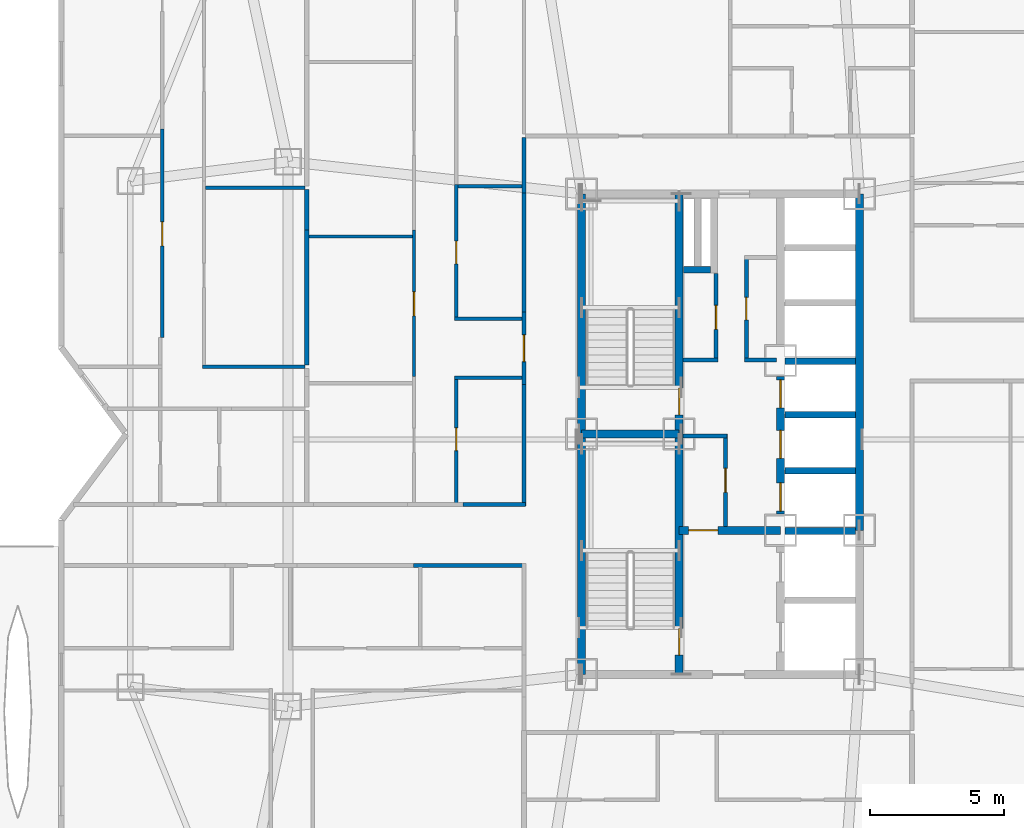
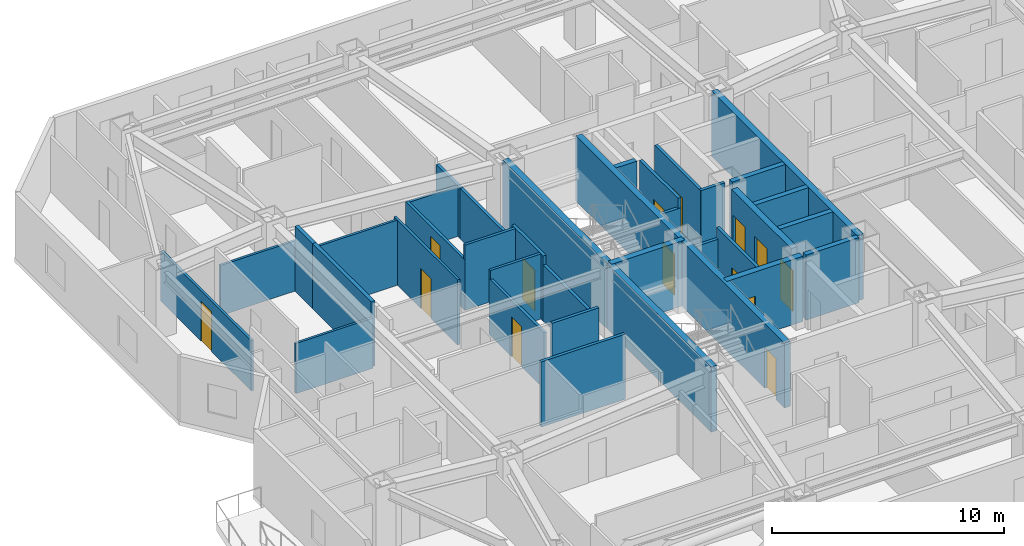
# One storey, part 9 of 15: 37 walls, 14 doors, 14 openings.
"""IFC4 building model written with IfcOpenShell, lengths in metres."""

from ifc_helpers import new_model, si_unit, direction, frame, frame_2d, origin, place, context, subcontext, project, spatial, rectangle, extrude, material, layer, layer_set, type_object, element, fill, save


model = new_model("IFC4")

# Units and contexts
model_context = context("Model", 3, precision=1e-05, world=origin(), true_north=direction((0.0, 1.0)))
body_context = subcontext(model_context, "Body", "Model", "MODEL_VIEW")
ifc_project = project(units=[si_unit("LENGTHUNIT", "METRE"), si_unit("AREAUNIT", "SQUARE_METRE"), si_unit("VOLUMEUNIT", "CUBIC_METRE"), si_unit("PLANEANGLEUNIT", "RADIAN"), si_unit("MASSUNIT", "GRAM", prefix="KILO")], contexts=[model_context])

# Site, building, storey
site_placement = place(None, origin())
site = spatial("IfcSite", under=ifc_project, at=site_placement, CompositionType="ELEMENT")
building_placement = place(site_placement, origin())
building = spatial("IfcBuilding", under=site, at=building_placement, Name="Khamvora Tower", CompositionType="ELEMENT")
storey_placement = place(building_placement, frame((0.0, 0.0, 112.85009765625)))
storey = spatial("IfcBuildingStorey", under=building, at=storey_placement, Name="L28", CompositionType="ELEMENT", Elevation=112.85009765625)

# Walls
ifc_material_1 = material(Name="Concrete C50/60", Category="concrete")
ifc_layer_1 = layer(ifc_material_1, 0.300048828125)
ifc_layer_set_1 = layer_set([ifc_layer_1], Name="Concrete C50/60")
wall_type_1 = type_object("IfcWallType", Name="WAL-CORE-300", PredefinedType="SHEAR", material=ifc_layer_set_1)
for number, where, z_axis, x_axis, name in (
    (1, (29.0, 19.0, 0.0), (0.0, 0.0, 1.0), (0.0, 1.0, 0.0), "L28 central core west south wall"),
    (2, (29.0, 28.0, 0.0), (0.0, 0.0, 1.0), (0.0, 1.0, 0.0), "L28 central core west north wall"),
):
    element("IfcWall", number, at=place(storey_placement, frame(where, z_axis=z_axis, x_axis=x_axis)), inside=storey, type_object=wall_type_1, Name=name, PredefinedType="SHEAR", context=body_context, shape_type="SweptSolid", body=[
        extrude(rectangle(XDim=9.0, YDim=0.300048828125, at=frame_2d((4.5, 0.0))), origin(), (0.0, 0.0, 1.0), 3.429931640625),
    ])
wall_1_placement = place(storey_placement, frame((39.39990234375, 24.39990234375, 0.0), z_axis=(0.0, 0.0, 1.0), x_axis=(0.0, 1.0, 0.0)))
element("IfcWall", 3, at=wall_1_placement, inside=storey, type_object=wall_type_1, Name="L28 central core east north wall", PredefinedType="SHEAR", context=body_context, shape_type="SweptSolid", body=[
    extrude(rectangle(XDim=12.60009765625, YDim=0.300048828125, at=frame_2d((6.300048828125, 0.0))), origin(), (0.0, 0.0, 1.0), 3.429931640625),
])

# Wall, opening, door
wall_2_placement = place(storey_placement, frame((32.64990234375, 19.0, 0.0), z_axis=(0.0, 0.0, 1.0), x_axis=(0.0, 1.0, 0.0)))
wall_2 = element("IfcWall", 4, at=wall_2_placement, inside=storey, type_object=wall_type_1, Name="L28 central core stair south spine wall", PredefinedType="SHEAR", context=body_context, shape_type="SweptSolid", body=[
    extrude(rectangle(XDim=9.0, YDim=0.300048828125, at=frame_2d((4.5, 0.0))), origin(), (0.0, 0.0, 1.0), 3.429931640625),
])
opening_1_placement = place(wall_2_placement, frame((0.719970703125, 0.0, 0.0)))
opening_1 = element("IfcOpeningElement", 5, at=opening_1_placement, cuts=wall_2, Name="Opening D-ST1", PredefinedType="OPENING", context=body_context, shape_type="SweptSolid", body=[
    extrude(rectangle(XDim=1.0, YDim=2.14990234375, at=frame_2d((0.5, 1.074951171875))), frame((0.0, 0.159912109375, 0.0), z_axis=(0.0, -1.0, 0.0), x_axis=(1.0, 0.0, 0.0)), (0.0, 0.0, 1.0), 0.320068359375),
])
ifc_material_2 = material(Name="Powder-Coated Steel and Hardwood Leaf", Category="steel")
door_type_1 = type_object("IfcDoorType", Name="DOR-STAIR-1000", OperationType="NOTDEFINED", PredefinedType="DOOR", material=ifc_material_2)
door_1_placement = place(opening_1_placement, origin())
door_1 = element("IfcDoor", 6, at=door_1_placement, inside=storey, type_object=door_type_1, Name="L28 exit stair ST-01 fire door", OperationType="SINGLE_SWING_RIGHT", OverallHeight=2.14990234375, OverallWidth=1.0, PredefinedType="DOOR", context=body_context, shape_type="SweptSolid", body=[
    extrude(rectangle(XDim=1.0, YDim=2.14990234375, at=frame_2d((0.5, 1.074951171875))), frame((0.0, 0.02490234375, 0.0), z_axis=(0.0, -1.0, 0.0), x_axis=(1.0, 0.0, 0.0)), (0.0, 0.0, 1.0), 0.050048828125),
])
fill(opening_1, door_1)

wall_3_placement = place(storey_placement, frame((32.64990234375, 28.0, 0.0), z_axis=(0.0, 0.0, 1.0), x_axis=(0.0, 1.0, 0.0)))
wall_3 = element("IfcWall", 7, at=wall_3_placement, inside=storey, type_object=wall_type_1, Name="L28 central core stair north spine wall", PredefinedType="SHEAR", context=body_context, shape_type="SweptSolid", body=[
    extrude(rectangle(XDim=9.0, YDim=0.300048828125, at=frame_2d((4.5, 0.0))), origin(), (0.0, 0.0, 1.0), 3.429931640625),
])
opening_2_placement = place(wall_3_placement, frame((0.719970703125, 0.0, 0.0)))
opening_2 = element("IfcOpeningElement", 8, at=opening_2_placement, cuts=wall_3, Name="Opening D-ST1", PredefinedType="OPENING", context=body_context, shape_type="SweptSolid", body=[
    extrude(rectangle(XDim=1.0, YDim=2.14990234375, at=frame_2d((0.5, 1.074951171875))), frame((0.0, 0.159912109375, 0.0), z_axis=(0.0, -1.0, 0.0), x_axis=(1.0, 0.0, 0.0)), (0.0, 0.0, 1.0), 0.320068359375),
])
door_2_placement = place(opening_2_placement, origin())
door_2 = element("IfcDoor", 9, at=door_2_placement, inside=storey, type_object=door_type_1, Name="L28 exit stair ST-02 fire door", OperationType="SINGLE_SWING_RIGHT", OverallHeight=2.14990234375, OverallWidth=1.0, PredefinedType="DOOR", context=body_context, shape_type="SweptSolid", body=[
    extrude(rectangle(XDim=1.0, YDim=2.14990234375, at=frame_2d((0.5, 1.074951171875))), frame((0.0, 0.02490234375, 0.0), z_axis=(0.0, -1.0, 0.0), x_axis=(1.0, 0.0, 0.0)), (0.0, 0.0, 1.0), 0.050048828125),
])
fill(opening_2, door_2)

# Wall
wall_4_placement = place(storey_placement, frame((29.0, 28.0, 0.0), z_axis=(0.0, 0.0, 1.0), x_axis=(1.0, 0.0, 0.0)))
element("IfcWall", 10, at=wall_4_placement, inside=storey, type_object=wall_type_1, Name="L28 central core stair cross wall", PredefinedType="SHEAR", context=body_context, shape_type="SweptSolid", body=[
    extrude(rectangle(XDim=3.64990234375, YDim=0.300048828125, at=frame_2d((1.824951171875, 0.0))), origin(), (0.0, 0.0, 1.0), 3.429931640625),
])

# Wall, opening, door
wall_5_placement = place(storey_placement, frame((32.64990234375, 24.39990234375, 0.0), z_axis=(0.0, 0.0, 1.0), x_axis=(1.0, 0.0, 0.0)))
wall_5 = element("IfcWall", 11, at=wall_5_placement, inside=storey, type_object=wall_type_1, Name="L28 central core firefighting lobby north wall", PredefinedType="SHEAR", context=body_context, shape_type="SweptSolid", body=[
    extrude(rectangle(XDim=3.800048828125, YDim=0.300048828125, at=frame_2d((1.89990234375, 0.0))), origin(), (0.0, 0.0, 1.0), 3.429931640625),
])
opening_3_placement = place(wall_5_placement, frame((0.35009765625, 0.0, 0.0)))
opening_3 = element("IfcOpeningElement", 12, at=opening_3_placement, cuts=wall_5, Name="Opening D-FF1", PredefinedType="OPENING", context=body_context, shape_type="SweptSolid", body=[
    extrude(rectangle(XDim=1.10009765625, YDim=2.14990234375, at=frame_2d((0.550048828125, 1.074951171875))), frame((0.0, 0.159912109375, 0.0), z_axis=(0.0, -1.0, 0.0), x_axis=(1.0, 0.0, 0.0)), (0.0, 0.0, 1.0), 0.320068359375),
])
door_type_2 = type_object("IfcDoorType", Name="DOR-FFLOB-1100", OperationType="NOTDEFINED", PredefinedType="DOOR", material=ifc_material_2)
door_3_placement = place(opening_3_placement, origin())
door_3 = element("IfcDoor", 13, at=door_3_placement, inside=storey, type_object=door_type_2, Name="L28 firefighting lobby smoke-seal fire door", OperationType="SINGLE_SWING_LEFT", OverallHeight=2.14990234375, OverallWidth=1.10009765625, PredefinedType="DOOR", context=body_context, shape_type="SweptSolid", body=[
    extrude(rectangle(XDim=1.10009765625, YDim=2.14990234375, at=frame_2d((0.550048828125, 1.074951171875))), frame((0.0, 0.02490234375, 0.0), z_axis=(0.0, -1.0, 0.0), x_axis=(1.0, 0.0, 0.0)), (0.0, 0.0, 1.0), 0.050048828125),
])
fill(opening_3, door_3)

# Wall, openings, doors
wall_6_placement = place(storey_placement, frame((36.449951171875, 25.0, 0.0), z_axis=(0.0, 0.0, 1.0), x_axis=(0.0, 1.0, 0.0)))
wall_6 = element("IfcWall", 14, at=wall_6_placement, inside=storey, type_object=wall_type_1, Name="L28 central core lift bank central wall", PredefinedType="SHEAR", context=body_context, shape_type="SweptSolid", body=[
    extrude(rectangle(XDim=5.14990234375, YDim=0.300048828125, at=frame_2d((2.574951171875, 0.0))), origin(), (0.0, 0.0, 1.0), 3.429931640625),
])
opening_4_placement = place(wall_6_placement, frame((0.1201171875, 0.0, 0.0)))
opening_4 = element("IfcOpeningElement", 15, at=opening_4_placement, cuts=wall_6, Name="Opening LD-PL", PredefinedType="OPENING", context=body_context, shape_type="SweptSolid", body=[
    extrude(rectangle(XDim=1.050048828125, YDim=2.14990234375, at=frame_2d((0.52490234375, 1.074951171875))), frame((0.0, 0.159912109375, 0.0), z_axis=(0.0, -1.0, 0.0), x_axis=(1.0, 0.0, 0.0)), (0.0, 0.0, 1.0), 0.320068359375),
])
opening_5_placement = place(wall_6_placement, frame((2.094970703125, 0.0, 0.0)))
opening_5 = element("IfcOpeningElement", 16, at=opening_5_placement, cuts=wall_6, Name="Opening LD-PL", PredefinedType="OPENING", context=body_context, shape_type="SweptSolid", body=[
    extrude(rectangle(XDim=1.050048828125, YDim=2.14990234375, at=frame_2d((0.52490234375, 1.074951171875))), frame((0.0, 0.159912109375, 0.0), z_axis=(0.0, -1.0, 0.0), x_axis=(1.0, 0.0, 0.0)), (0.0, 0.0, 1.0), 0.320068359375),
])
opening_6_placement = place(wall_6_placement, frame((3.97998046875, 0.0, 0.0)))
opening_6 = element("IfcOpeningElement", 17, at=opening_6_placement, cuts=wall_6, Name="Opening LD-PL", PredefinedType="OPENING", context=body_context, shape_type="SweptSolid", body=[
    extrude(rectangle(XDim=1.050048828125, YDim=2.14990234375, at=frame_2d((0.52490234375, 1.074951171875))), frame((0.0, 0.159912109375, 0.0), z_axis=(0.0, -1.0, 0.0), x_axis=(1.0, 0.0, 0.0)), (0.0, 0.0, 1.0), 0.320068359375),
])
door_type_3 = type_object("IfcDoorType", Name="DOR-LIFT-1050", OperationType="SLIDING_TO_LEFT", PredefinedType="DOOR", material=ifc_material_2)
door_4_placement = place(opening_4_placement, origin())
door_4 = element("IfcDoor", 18, at=door_4_placement, inside=storey, type_object=door_type_3, Name="L28 lift landing sliding door PL-01", OperationType="SLIDING_TO_LEFT", OverallHeight=2.14990234375, OverallWidth=1.050048828125, PredefinedType="DOOR", context=body_context, shape_type="SweptSolid", body=[
    extrude(rectangle(XDim=1.050048828125, YDim=2.14990234375, at=frame_2d((0.52490234375, 1.074951171875))), frame((0.0, 0.02490234375, 0.0), z_axis=(0.0, -1.0, 0.0), x_axis=(1.0, 0.0, 0.0)), (0.0, 0.0, 1.0), 0.050048828125),
])
fill(opening_4, door_4)
door_5_placement = place(opening_5_placement, origin())
door_5 = element("IfcDoor", 19, at=door_5_placement, inside=storey, type_object=door_type_3, Name="L28 lift landing sliding door PL-02", OperationType="SLIDING_TO_LEFT", OverallHeight=2.14990234375, OverallWidth=1.050048828125, PredefinedType="DOOR", context=body_context, shape_type="SweptSolid", body=[
    extrude(rectangle(XDim=1.050048828125, YDim=2.14990234375, at=frame_2d((0.52490234375, 1.074951171875))), frame((0.0, 0.02490234375, 0.0), z_axis=(0.0, -1.0, 0.0), x_axis=(1.0, 0.0, 0.0)), (0.0, 0.0, 1.0), 0.050048828125),
])
fill(opening_5, door_5)
door_6_placement = place(opening_6_placement, origin())
door_6 = element("IfcDoor", 20, at=door_6_placement, inside=storey, type_object=door_type_3, Name="L28 lift landing sliding door PL-03", OperationType="SLIDING_TO_LEFT", OverallHeight=2.14990234375, OverallWidth=1.050048828125, PredefinedType="DOOR", context=body_context, shape_type="SweptSolid", body=[
    extrude(rectangle(XDim=1.050048828125, YDim=2.14990234375, at=frame_2d((0.52490234375, 1.074951171875))), frame((0.0, 0.02490234375, 0.0), z_axis=(0.0, -1.0, 0.0), x_axis=(1.0, 0.0, 0.0)), (0.0, 0.0, 1.0), 0.050048828125),
])
fill(opening_6, door_6)

# Wall, opening, door
ifc_material_3 = material(Name="Fire-Rated Drywall and Steel Stud", Category="steel")
ifc_layer_2 = layer(ifc_material_3, 0.14990234375)
ifc_layer_set_2 = layer_set([ifc_layer_2], Name="Fire-Rated Drywall and Steel Stud")
wall_type_2 = type_object("IfcWallType", Name="WAL-CORR-150", PredefinedType="STANDARD", material=ifc_layer_set_2)
wall_7_placement = place(storey_placement, frame((35.1650390625, 34.677978515625, 0.0), z_axis=(0.0, 0.0, 1.0), x_axis=(0.0, -1.0, 0.0)))
wall_7 = element("IfcWall", 21, at=wall_7_placement, inside=storey, type_object=wall_type_2, Name="L28 interior partition wall 002", PredefinedType="STANDARD", context=body_context, shape_type="SweptSolid", body=[
    extrude(rectangle(XDim=3.9580078125, YDim=0.14990234375, at=frame_2d((1.97900390625, 0.0))), origin(), (0.0, 0.0, 1.0), 3.429931640625),
])
opening_7_placement = place(wall_7_placement, frame((1.553955078125, 0.0, 0.0)))
opening_7 = element("IfcOpeningElement", 22, at=opening_7_placement, cuts=wall_7, Name="Opening D-WC1", PredefinedType="OPENING", context=body_context, shape_type="SweptSolid", body=[
    extrude(rectangle(XDim=0.85009765625, YDim=2.10009765625, at=frame_2d((0.425048828125, 1.050048828125))), frame((0.0, 0.0849609375, 0.0), z_axis=(0.0, -1.0, 0.0), x_axis=(1.0, 0.0, 0.0)), (0.0, 0.0, 1.0), 0.169921875),
])
door_type_4 = type_object("IfcDoorType", Name="DOR-WET-850", OperationType="NOTDEFINED", PredefinedType="DOOR", material=ifc_material_2)
door_7_placement = place(opening_7_placement, origin())
door_7 = element("IfcDoor", 23, at=door_7_placement, inside=storey, type_object=door_type_4, Name="L28 interior door PLL-CS1", OperationType="SINGLE_SWING_RIGHT", OverallHeight=2.10009765625, OverallWidth=0.85009765625, PredefinedType="DOOR", context=body_context, shape_type="SweptSolid", body=[
    extrude(rectangle(XDim=0.85009765625, YDim=2.10009765625, at=frame_2d((0.425048828125, 1.050048828125))), frame((0.0, 0.02490234375, 0.0), z_axis=(0.0, -1.0, 0.0), x_axis=(1.0, 0.0, 0.0)), (0.0, 0.0, 1.0), 0.050048828125),
])
fill(opening_7, door_7)

# Walls
wall_8_placement = place(storey_placement, frame((35.10205078125, 30.784912109375, 0.0), z_axis=(0.0, 0.0, 1.0), x_axis=(1.0, 0.0, 0.0)))
element("IfcWall", 24, at=wall_8_placement, inside=storey, type_object=wall_type_2, Name="L28 interior partition wall 003", PredefinedType="STANDARD", context=body_context, shape_type="SweptSolid", body=[
    extrude(rectangle(XDim=1.197998046875, YDim=0.14990234375, at=frame_2d((0.59912109375, 0.0))), origin(), (0.0, 0.0, 1.0), 3.429931640625),
])
wall_9_placement = place(storey_placement, frame((32.7939453125, 30.784912109375, 0.0), z_axis=(0.0, 0.0, 1.0), x_axis=(1.0, 0.0, 0.0)))
element("IfcWall", 25, at=wall_9_placement, inside=storey, type_object=wall_type_2, Name="L28 interior partition wall 004", PredefinedType="STANDARD", context=body_context, shape_type="SweptSolid", body=[
    extrude(rectangle(XDim=1.30615234375, YDim=0.14990234375, at=frame_2d((0.653076171875, 0.0))), origin(), (0.0, 0.0, 1.0), 2.886962890625),
])

# Wall, opening, door
wall_10_placement = place(storey_placement, frame((34.034912109375, 30.719970703125, 0.0), z_axis=(0.0, 0.0, 1.0), x_axis=(0.0, 1.0, 0.0)))
wall_10 = element("IfcWall", 26, at=wall_10_placement, inside=storey, type_object=wall_type_2, Name="L28 interior partition wall 005", PredefinedType="STANDARD", context=body_context, shape_type="SweptSolid", body=[
    extrude(rectangle(XDim=3.300048828125, YDim=0.14990234375, at=frame_2d((1.64990234375, 0.0))), origin(), (0.0, 0.0, 1.0), 3.429931640625),
])
opening_8_placement = place(wall_10_placement, frame((1.199951171875, 0.0, 0.0)))
opening_8 = element("IfcOpeningElement", 27, at=opening_8_placement, cuts=wall_10, Name="Opening D-RM1", PredefinedType="OPENING", context=body_context, shape_type="SweptSolid", body=[
    extrude(rectangle(XDim=0.89990234375, YDim=2.10009765625, at=frame_2d((0.449951171875, 1.050048828125))), frame((0.0, 0.0849609375, 0.0), z_axis=(0.0, -1.0, 0.0), x_axis=(1.0, 0.0, 0.0)), (0.0, 0.0, 1.0), 0.169921875),
])
door_type_5 = type_object("IfcDoorType", Name="DOR-ROOM-900", OperationType="NOTDEFINED", PredefinedType="DOOR", material=ifc_material_2)
door_8_placement = place(opening_8_placement, origin())
door_8 = element("IfcDoor", 28, at=door_8_placement, inside=storey, type_object=door_type_5, Name="L28 interior door PLL-CS2", OperationType="SINGLE_SWING_LEFT", OverallHeight=2.10009765625, OverallWidth=0.89990234375, PredefinedType="DOOR", context=body_context, shape_type="SweptSolid", body=[
    extrude(rectangle(XDim=0.89990234375, YDim=2.10009765625, at=frame_2d((0.449951171875, 1.050048828125))), frame((0.0, 0.02490234375, 0.0), z_axis=(0.0, -1.0, 0.0), x_axis=(1.0, 0.0, 0.0)), (0.0, 0.0, 1.0), 0.050048828125),
])
fill(opening_8, door_8)

wall_11_placement = place(storey_placement, frame((34.385009765625, 24.5439453125, 0.0), z_axis=(0.0, 0.0, 1.0), x_axis=(0.0, 1.0, 0.0)))
wall_11 = element("IfcWall", 29, at=wall_11_placement, inside=storey, type_object=wall_type_2, Name="L28 interior partition wall 006", PredefinedType="STANDARD", context=body_context, shape_type="SweptSolid", body=[
    extrude(rectangle(XDim=3.4560546875, YDim=0.14990234375, at=frame_2d((1.72802734375, 0.0))), origin(), (0.0, 0.0, 1.0), 3.429931640625),
])
opening_9_placement = place(wall_11_placement, frame((1.278076171875, 0.0, 0.0)))
opening_9 = element("IfcOpeningElement", 30, at=opening_9_placement, cuts=wall_11, Name="Opening D-RM1", PredefinedType="OPENING", context=body_context, shape_type="SweptSolid", body=[
    extrude(rectangle(XDim=0.89990234375, YDim=2.10009765625, at=frame_2d((0.449951171875, 1.050048828125))), frame((0.0, 0.0849609375, 0.0), z_axis=(0.0, -1.0, 0.0), x_axis=(1.0, 0.0, 0.0)), (0.0, 0.0, 1.0), 0.169921875),
])
door_9_placement = place(opening_9_placement, origin())
door_9 = element("IfcDoor", 31, at=door_9_placement, inside=storey, type_object=door_type_5, Name="L28 interior door PLL-CS3", OperationType="SINGLE_SWING_RIGHT", OverallHeight=2.10009765625, OverallWidth=0.89990234375, PredefinedType="DOOR", context=body_context, shape_type="SweptSolid", body=[
    extrude(rectangle(XDim=0.89990234375, YDim=2.10009765625, at=frame_2d((0.449951171875, 1.050048828125))), frame((0.0, 0.02490234375, 0.0), z_axis=(0.0, -1.0, 0.0), x_axis=(1.0, 0.0, 0.0)), (0.0, 0.0, 1.0), 0.050048828125),
])
fill(opening_9, door_9)

# Walls
wall_12_placement = place(storey_placement, frame((34.449951171875, 27.93505859375, 0.0), z_axis=(0.0, 0.0, 1.0), x_axis=(-1.0, 0.0, 0.0)))
element("IfcWall", 32, at=wall_12_placement, inside=storey, type_object=wall_type_2, Name="L28 interior partition wall 007", PredefinedType="STANDARD", context=body_context, shape_type="SweptSolid", body=[
    extrude(rectangle(XDim=1.656005859375, YDim=0.14990234375, at=frame_2d((0.828125, 0.0))), origin(), (0.0, 0.0, 1.0), 2.886962890625),
])
wall_13_placement = place(storey_placement, frame((26.89794921875, 23.0849609375, 0.0), z_axis=(0.0, 0.0, 1.0), x_axis=(-1.0, 0.0, 0.0)))
element("IfcWall", 33, at=wall_13_placement, inside=storey, type_object=wall_type_2, Name="L28 interior partition wall 010", PredefinedType="STANDARD", context=body_context, shape_type="SweptSolid", body=[
    extrude(rectangle(XDim=4.19189453125, YDim=0.14990234375, at=frame_2d((2.095947265625, 0.0))), origin(), (0.0, 0.0, 1.0), 3.429931640625),
])
wall_14_placement = place(storey_placement, frame((26.8349609375, 37.031982421875, 0.0), z_axis=(0.0, 0.0, 1.0), x_axis=(0.0, 1.0, 0.0)))
element("IfcWall", 34, at=wall_14_placement, inside=storey, type_object=wall_type_2, Name="L28 interior partition wall 019", PredefinedType="STANDARD", context=body_context, shape_type="SweptSolid", body=[
    extrude(rectangle(XDim=2.068115234375, YDim=0.14990234375, at=frame_2d((1.0341796875, 0.0))), origin(), (0.0, 0.0, 1.0), 2.64697265625),
])

# Wall, opening, door
wall_15_placement = place(storey_placement, frame((26.8349609375, 29.866943359375, 0.0), z_axis=(0.0, 0.0, 1.0), x_axis=(0.0, 1.0, 0.0)))
wall_15 = element("IfcWall", 35, at=wall_15_placement, inside=storey, type_object=wall_type_2, Name="L28 interior partition wall 021", PredefinedType="STANDARD", context=body_context, shape_type="SweptSolid", body=[
    extrude(rectangle(XDim=2.697998046875, YDim=0.14990234375, at=frame_2d((1.34912109375, 0.0))), origin(), (0.0, 0.0, 1.0), 3.429931640625),
])
opening_10_placement = place(wall_15_placement, frame((0.84912109375, 0.0, 0.0)))
opening_10 = element("IfcOpeningElement", 36, at=opening_10_placement, cuts=wall_15, Name="Opening D-U1", PredefinedType="OPENING", context=body_context, shape_type="SweptSolid", body=[
    extrude(rectangle(XDim=1.0, YDim=2.14990234375, at=frame_2d((0.5, 1.074951171875))), frame((0.0, 0.0849609375, 0.0), z_axis=(0.0, -1.0, 0.0), x_axis=(1.0, 0.0, 0.0)), (0.0, 0.0, 1.0), 0.169921875),
])
door_type_6 = type_object("IfcDoorType", Name="DOR-UNIT-1000", OperationType="NOTDEFINED", PredefinedType="DOOR", material=ifc_material_2)
door_10_placement = place(opening_10_placement, origin())
door_10 = element("IfcDoor", 37, at=door_10_placement, inside=storey, type_object=door_type_6, Name="L28 interior door COR-28WCH", OperationType="SINGLE_SWING_RIGHT", OverallHeight=2.14990234375, OverallWidth=1.0, PredefinedType="DOOR", context=body_context, shape_type="SweptSolid", body=[
    extrude(rectangle(XDim=1.0, YDim=2.14990234375, at=frame_2d((0.5, 1.074951171875))), frame((0.0, 0.02490234375, 0.0), z_axis=(0.0, -1.0, 0.0), x_axis=(1.0, 0.0, 0.0)), (0.0, 0.0, 1.0), 0.050048828125),
])
fill(opening_10, door_10)

# Walls
wall_16_placement = place(storey_placement, frame((24.553955078125, 25.364990234375, 0.0), z_axis=(0.0, 0.0, 1.0), x_axis=(1.0, 0.0, 0.0)))
element("IfcWall", 38, at=wall_16_placement, inside=storey, type_object=wall_type_2, Name="L28 interior partition wall 022", PredefinedType="STANDARD", context=body_context, shape_type="SweptSolid", body=[
    extrude(rectangle(XDim=2.345947265625, YDim=0.14990234375, at=frame_2d((1.1728515625, 0.0))), origin(), (0.0, 0.0, 1.0), 3.429931640625),
])
wall_17_placement = place(storey_placement, frame((26.8349609375, 25.302001953125, 0.0), z_axis=(0.0, 0.0, 1.0), x_axis=(0.0, 1.0, 0.0)))
element("IfcWall", 39, at=wall_17_placement, inside=storey, type_object=wall_type_2, Name="L28 interior partition wall 023", PredefinedType="STANDARD", context=body_context, shape_type="SweptSolid", body=[
    extrude(rectangle(XDim=4.56494140625, YDim=0.14990234375, at=frame_2d((2.282470703125, 0.0))), origin(), (0.0, 0.0, 1.0), 2.956787109375),
])
wall_18_placement = place(storey_placement, frame((26.8349609375, 32.56494140625, 0.0), z_axis=(0.0, 0.0, 1.0), x_axis=(0.0, 1.0, 0.0)))
element("IfcWall", 40, at=wall_18_placement, inside=storey, type_object=wall_type_2, Name="L28 interior partition wall 024", PredefinedType="STANDARD", context=body_context, shape_type="SweptSolid", body=[
    extrude(rectangle(XDim=4.467041015625, YDim=0.14990234375, at=frame_2d((2.2333984375, 0.0))), origin(), (0.0, 0.0, 1.0), 2.64697265625),
])
ifc_material_4 = material(Name="Acoustic Double-Stud Fire Wall", Category="gypsum")
ifc_layer_3 = layer(ifc_material_4, 0.179931640625)
ifc_layer_set_3 = layer_set([ifc_layer_3], Name="Acoustic Double-Stud Fire Wall")
wall_type_3 = type_object("IfcWallType", Name="WAL-CORR-180", PredefinedType="STANDARD", material=ifc_layer_set_3)
wall_19_placement = place(storey_placement, frame((18.705078125, 35.652099609375, 0.0), z_axis=(0.0, 0.0, 1.0), x_axis=(0.0, -1.0, 0.0)))
element("IfcWall", 41, at=wall_19_placement, inside=storey, type_object=wall_type_3, Name="L28 interior partition wall 082", PredefinedType="STANDARD", context=body_context, shape_type="SweptSolid", body=[
    extrude(rectangle(XDim=5.06201171875, YDim=0.179931640625, at=frame_2d((2.531005859375, 0.0))), origin(), (0.0, 0.0, 1.0), 3.429931640625),
])
wall_20_placement = place(storey_placement, frame((18.705078125, 37.1630859375, 0.0), z_axis=(0.0, 0.0, 1.0), x_axis=(0.0, -1.0, 0.0)))
element("IfcWall", 42, at=wall_20_placement, inside=storey, type_object=wall_type_3, Name="L28 interior partition wall 083", PredefinedType="STANDARD", context=body_context, shape_type="SweptSolid", body=[
    extrude(rectangle(XDim=1.510986328125, YDim=0.179931640625, at=frame_2d((0.75537109375, 0.0))), origin(), (0.0, 0.0, 1.0), 3.429931640625),
])

# Wall, opening, door
ifc_material_5 = material(Name="Gypsum Plasterboard Partition", Category="gypsum")
ifc_layer_4 = layer(ifc_material_5, 0.1201171875)
ifc_layer_set_4 = layer_set([ifc_layer_4], Name="Gypsum Plasterboard Partition")
wall_type_4 = type_object("IfcWallType", Name="WAL-PART-120", PredefinedType="PARTITIONING", material=ifc_layer_set_4)
wall_21_placement = place(storey_placement, frame((13.2900390625, 31.610107421875, 0.0), z_axis=(0.0, 0.0, 1.0), x_axis=(0.0, 1.0, 0.0)))
wall_21 = element("IfcWall", 43, at=wall_21_placement, inside=storey, type_object=wall_type_4, Name="L28 interior partition wall 070", PredefinedType="PARTITIONING", context=body_context, shape_type="SweptSolid", body=[
    extrude(rectangle(XDim=7.81298828125, YDim=0.1201171875, at=frame_2d((3.906494140625, 0.0))), origin(), (0.0, 0.0, 1.0), 2.64697265625),
])
opening_11_placement = place(wall_21_placement, frame((3.43505859375, 0.0, 0.0)))
opening_11 = element("IfcOpeningElement", 44, at=opening_11_placement, cuts=wall_21, Name="Opening D-RM1", PredefinedType="OPENING", context=body_context, shape_type="SweptSolid", body=[
    extrude(rectangle(XDim=0.89990234375, YDim=2.10009765625, at=frame_2d((0.449951171875, 1.050048828125))), frame((0.0, 0.070068359375, 0.0), z_axis=(0.0, -1.0, 0.0), x_axis=(1.0, 0.0, 0.0)), (0.0, 0.0, 1.0), 0.14013671875),
])
door_11_placement = place(opening_11_placement, origin())
door_11 = element("IfcDoor", 45, at=door_11_placement, inside=storey, type_object=door_type_5, Name="L28 interior door 28WBH-28WBL", OperationType="SINGLE_SWING_LEFT", OverallHeight=2.10009765625, OverallWidth=0.89990234375, PredefinedType="DOOR", context=body_context, shape_type="SweptSolid", body=[
    extrude(rectangle(XDim=0.89990234375, YDim=2.10009765625, at=frame_2d((0.449951171875, 1.050048828125))), frame((0.0, 0.02490234375, 0.0), z_axis=(0.0, -1.0, 0.0), x_axis=(1.0, 0.0, 0.0)), (0.0, 0.0, 1.0), 0.050048828125),
])
fill(opening_11, door_11)

# Walls
wall_22_placement = place(storey_placement, frame((14.794921875, 30.52490234375, 0.0), z_axis=(0.0, 0.0, 1.0), x_axis=(1.0, 0.0, 0.0)))
element("IfcWall", 46, at=wall_22_placement, inside=storey, type_object=wall_type_4, Name="L28 interior partition wall 074", PredefinedType="PARTITIONING", context=body_context, shape_type="SweptSolid", body=[
    extrude(rectangle(XDim=3.844970703125, YDim=0.1201171875, at=frame_2d((1.92236328125, 0.0))), origin(), (0.0, 0.0, 1.0), 2.64697265625),
])
wall_23_placement = place(storey_placement, frame((14.9140625, 37.22802734375, 0.0), z_axis=(0.0, 0.0, 1.0), x_axis=(1.0, 0.0, 0.0)))
element("IfcWall", 47, at=wall_23_placement, inside=storey, type_object=wall_type_4, Name="L28 interior partition wall 081", PredefinedType="PARTITIONING", context=body_context, shape_type="SweptSolid", body=[
    extrude(rectangle(XDim=3.725830078125, YDim=0.1201171875, at=frame_2d((1.86279296875, 0.0))), origin(), (0.0, 0.0, 1.0), 2.64697265625),
])

# Wall, opening, door
wall_24_placement = place(storey_placement, frame((22.72509765625, 30.15087890625, 0.0), z_axis=(0.0, 0.0, 1.0), x_axis=(0.0, 1.0, 0.0)))
wall_24 = element("IfcWall", 48, at=wall_24_placement, inside=storey, type_object=wall_type_4, Name="L28 interior partition wall 095", PredefinedType="PARTITIONING", context=body_context, shape_type="SweptSolid", body=[
    extrude(rectangle(XDim=5.501220703125, YDim=0.1201171875, at=frame_2d((2.75048828125, 0.0))), origin(), (0.0, 0.0, 1.0), 3.429931640625),
])
opening_12_placement = place(wall_24_placement, frame((2.279052734375, 0.0, 0.0)))
opening_12 = element("IfcOpeningElement", 49, at=opening_12_placement, cuts=wall_24, Name="Opening D-RM1", PredefinedType="OPENING", context=body_context, shape_type="SweptSolid", body=[
    extrude(rectangle(XDim=0.89990234375, YDim=2.10009765625, at=frame_2d((0.449951171875, 1.050048828125))), frame((0.0, 0.070068359375, 0.0), z_axis=(0.0, -1.0, 0.0), x_axis=(1.0, 0.0, 0.0)), (0.0, 0.0, 1.0), 0.14013671875),
])
door_12_placement = place(opening_12_placement, origin())
door_12 = element("IfcDoor", 50, at=door_12_placement, inside=storey, type_object=door_type_5, Name="L28 interior door 28WCH-28WCR2", OperationType="SINGLE_SWING_RIGHT", OverallHeight=2.10009765625, OverallWidth=0.89990234375, PredefinedType="DOOR", context=body_context, shape_type="SweptSolid", body=[
    extrude(rectangle(XDim=0.89990234375, YDim=2.10009765625, at=frame_2d((0.449951171875, 1.050048828125))), frame((0.0, 0.02490234375, 0.0), z_axis=(0.0, -1.0, 0.0), x_axis=(1.0, 0.0, 0.0)), (0.0, 0.0, 1.0), 0.050048828125),
])
fill(opening_12, door_12)

# Walls
wall_25_placement = place(storey_placement, frame((18.787109375, 35.403076171875, 0.0), z_axis=(0.0, 0.0, 1.0), x_axis=(1.0, 0.0, 0.0)))
element("IfcWall", 51, at=wall_25_placement, inside=storey, type_object=wall_type_4, Name="L28 interior partition wall 099", PredefinedType="PARTITIONING", context=body_context, shape_type="SweptSolid", body=[
    extrude(rectangle(XDim=3.8837890625, YDim=0.1201171875, at=frame_2d((1.94189453125, 0.0))), origin(), (0.0, 0.0, 1.0), 3.429931640625),
])
ifc_material_6 = material(Name="Concrete C40/50", Category="concrete")
ifc_layer_5 = layer(ifc_material_6, 0.25)
ifc_layer_set_5 = layer_set([ifc_layer_5], Name="Concrete C40/50")
wall_type_5 = type_object("IfcWallType", Name="WAL-PODS-250", PredefinedType="SHEAR", material=ifc_layer_set_5)
for number, where, z_axis, x_axis, name in (
    (52, (36.60400390625, 24.375, 0.0), (0.0, 0.0, 1.0), (1.0, 0.0, 0.0), "L28 lift shaft divider wall FFL-02"),
    (53, (36.60400390625, 26.625, 0.0), (0.0, 0.0, 1.0), (1.0, 0.0, 0.0), "L28 lift shaft divider wall PL-01"),
    (54, (36.60400390625, 28.72509765625, 0.0), (0.0, 0.0, 1.0), (1.0, 0.0, 0.0), "L28 lift shaft divider wall PL-02"),
    (55, (36.60400390625, 30.72509765625, 0.0), (0.0, 0.0, 1.0), (1.0, 0.0, 0.0), "L28 lift shaft divider wall PL-03"),
):
    element("IfcWall", number, at=place(storey_placement, frame(where, z_axis=z_axis, x_axis=x_axis)), inside=storey, type_object=wall_type_5, Name=name, PredefinedType="SHEAR", context=body_context, shape_type="SweptSolid", body=[
        extrude(rectangle(XDim=2.64208984375, YDim=0.25, at=frame_2d((1.321044921875, 0.0))), origin(), (0.0, 0.0, 1.0), 3.429931640625),
    ])
wall_26_placement = place(storey_placement, frame((32.803955078125, 34.14990234375, 0.0), z_axis=(0.0, 0.0, 1.0), x_axis=(1.0, 0.0, 0.0)))
element("IfcWall", 56, at=wall_26_placement, inside=storey, type_object=wall_type_5, Name="L28 vertical MEP riser shaft south enclosure wall", PredefinedType="SHEAR", context=body_context, shape_type="SweptSolid", body=[
    extrude(rectangle(XDim=1.02197265625, YDim=0.25, at=frame_2d((0.510986328125, 0.0))), origin(), (0.0, 0.0, 1.0), 3.429931640625),
])
ifc_material_7 = material(Name="Moisture-Resistant Plasterboard Partition", Category="gypsum")
ifc_layer_6 = layer(ifc_material_7, 0.135009765625)
ifc_layer_set_6 = layer_set([ifc_layer_6], Name="Moisture-Resistant Plasterboard Partition")
wall_type_6 = type_object("IfcWallType", Name="WAL-WET-135", PredefinedType="PARTITIONING", material=ifc_layer_set_6)
wall_27_placement = place(storey_placement, frame((26.77001953125, 37.281005859375, 0.0), z_axis=(0.0, 0.0, 1.0), x_axis=(-1.0, 0.0, 0.0)))
element("IfcWall", 57, at=wall_27_placement, inside=storey, type_object=wall_type_6, Name="L28 interior partition wall 089", PredefinedType="PARTITIONING", context=body_context, shape_type="SweptSolid", body=[
    extrude(rectangle(XDim=2.39990234375, YDim=0.135009765625, at=frame_2d((1.199951171875, 0.0))), origin(), (0.0, 0.0, 1.0), 2.64697265625),
])
wall_28_placement = place(storey_placement, frame((26.77001953125, 30.115966796875, 0.0), z_axis=(0.0, 0.0, 1.0), x_axis=(-1.0, 0.0, 0.0)))
element("IfcWall", 58, at=wall_28_placement, inside=storey, type_object=wall_type_6, Name="L28 interior partition wall 090", PredefinedType="PARTITIONING", context=body_context, shape_type="SweptSolid", body=[
    extrude(rectangle(XDim=2.530029296875, YDim=0.135009765625, at=frame_2d((1.26513671875, 0.0))), origin(), (0.0, 0.0, 1.0), 3.429931640625),
])

# Wall, opening, door
wall_29_placement = place(storey_placement, frame((24.304931640625, 30.180908203125, 0.0), z_axis=(0.0, 0.0, 1.0), x_axis=(0.0, -1.0, 0.0)))
wall_29 = element("IfcWall", 59, at=wall_29_placement, inside=storey, type_object=wall_type_6, Name="L28 interior partition wall 091", PredefinedType="PARTITIONING", context=body_context, shape_type="SweptSolid", body=[
    extrude(rectangle(XDim=4.7509765625, YDim=0.135009765625, at=frame_2d((2.37548828125, 0.0))), origin(), (0.0, 0.0, 1.0), 2.956787109375),
])
opening_13_placement = place(wall_29_placement, frame((1.950927734375, 0.0, 0.0)))
opening_13 = element("IfcOpeningElement", 60, at=opening_13_placement, cuts=wall_29, Name="Opening D-WC1", PredefinedType="OPENING", context=body_context, shape_type="SweptSolid", body=[
    extrude(rectangle(XDim=0.85009765625, YDim=2.10009765625, at=frame_2d((0.425048828125, 1.050048828125))), frame((0.0, 0.077392578125, 0.0), z_axis=(0.0, -1.0, 0.0), x_axis=(1.0, 0.0, 0.0)), (0.0, 0.0, 1.0), 0.155029296875),
])
door_13_placement = place(opening_13_placement, origin())
door_13 = element("IfcDoor", 61, at=door_13_placement, inside=storey, type_object=door_type_4, Name="L28 interior door 28WCH-28WCB", OperationType="SINGLE_SWING_LEFT", OverallHeight=2.10009765625, OverallWidth=0.85009765625, PredefinedType="DOOR", context=body_context, shape_type="SweptSolid", body=[
    extrude(rectangle(XDim=0.85009765625, YDim=2.10009765625, at=frame_2d((0.425048828125, 1.050048828125))), frame((0.0, 0.02490234375, 0.0), z_axis=(0.0, -1.0, 0.0), x_axis=(1.0, 0.0, 0.0)), (0.0, 0.0, 1.0), 0.050048828125),
])
fill(opening_13, door_13)

wall_30_placement = place(storey_placement, frame((24.304931640625, 37.345947265625, 0.0), z_axis=(0.0, 0.0, 1.0), x_axis=(0.0, -1.0, 0.0)))
wall_30 = element("IfcWall", 62, at=wall_30_placement, inside=storey, type_object=wall_type_6, Name="L28 interior partition wall 092", PredefinedType="PARTITIONING", context=body_context, shape_type="SweptSolid", body=[
    extrude(rectangle(XDim=5.094970703125, YDim=0.135009765625, at=frame_2d((2.54736328125, 0.0))), origin(), (0.0, 0.0, 1.0), 2.64697265625),
])
opening_14_placement = place(wall_30_placement, frame((2.123046875, 0.0, 0.0)))
opening_14 = element("IfcOpeningElement", 63, at=opening_14_placement, cuts=wall_30, Name="Opening D-RM2", PredefinedType="OPENING", context=body_context, shape_type="SweptSolid", body=[
    extrude(rectangle(XDim=0.85009765625, YDim=2.10009765625, at=frame_2d((0.425048828125, 1.050048828125))), frame((0.0, 0.077392578125, 0.0), z_axis=(0.0, -1.0, 0.0), x_axis=(1.0, 0.0, 0.0)), (0.0, 0.0, 1.0), 0.155029296875),
])
door_type_7 = type_object("IfcDoorType", Name="DOR-ROOM-850", OperationType="NOTDEFINED", PredefinedType="DOOR", material=ifc_material_2)
door_14_placement = place(opening_14_placement, origin())
door_14 = element("IfcDoor", 64, at=door_14_placement, inside=storey, type_object=door_type_7, Name="L28 interior door 28WCH-28WCK", OperationType="SINGLE_SWING_RIGHT", OverallHeight=2.10009765625, OverallWidth=0.85009765625, PredefinedType="DOOR", context=body_context, shape_type="SweptSolid", body=[
    extrude(rectangle(XDim=0.85009765625, YDim=2.10009765625, at=frame_2d((0.425048828125, 1.050048828125))), frame((0.0, 0.02490234375, 0.0), z_axis=(0.0, -1.0, 0.0), x_axis=(1.0, 0.0, 0.0)), (0.0, 0.0, 1.0), 0.050048828125),
])
fill(opening_14, door_14)

# Wall
wall_31_placement = place(storey_placement, frame((24.239990234375, 32.31591796875, 0.0), z_axis=(0.0, 0.0, 1.0), x_axis=(1.0, 0.0, 0.0)))
element("IfcWall", 65, at=wall_31_placement, inside=storey, type_object=wall_type_6, Name="L28 interior partition wall 093", PredefinedType="PARTITIONING", context=body_context, shape_type="SweptSolid", body=[
    extrude(rectangle(XDim=2.530029296875, YDim=0.135009765625, at=frame_2d((1.26513671875, 0.0))), origin(), (0.0, 0.0, 1.0), 3.429931640625),
])

save(model, "model.ifc")
